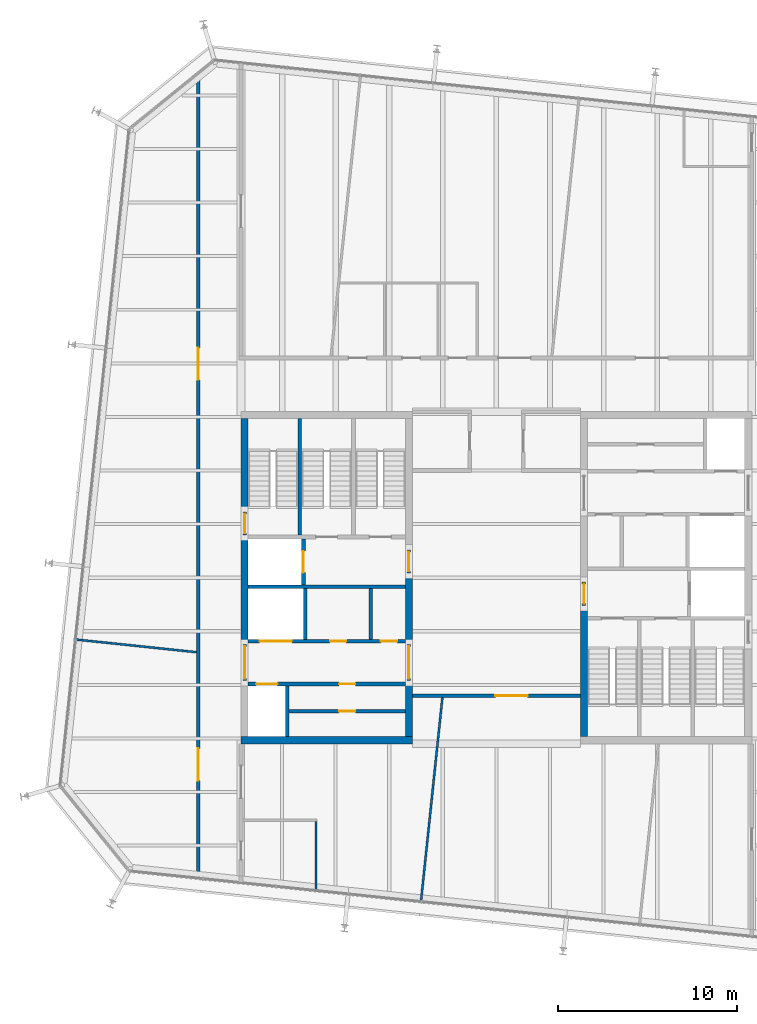
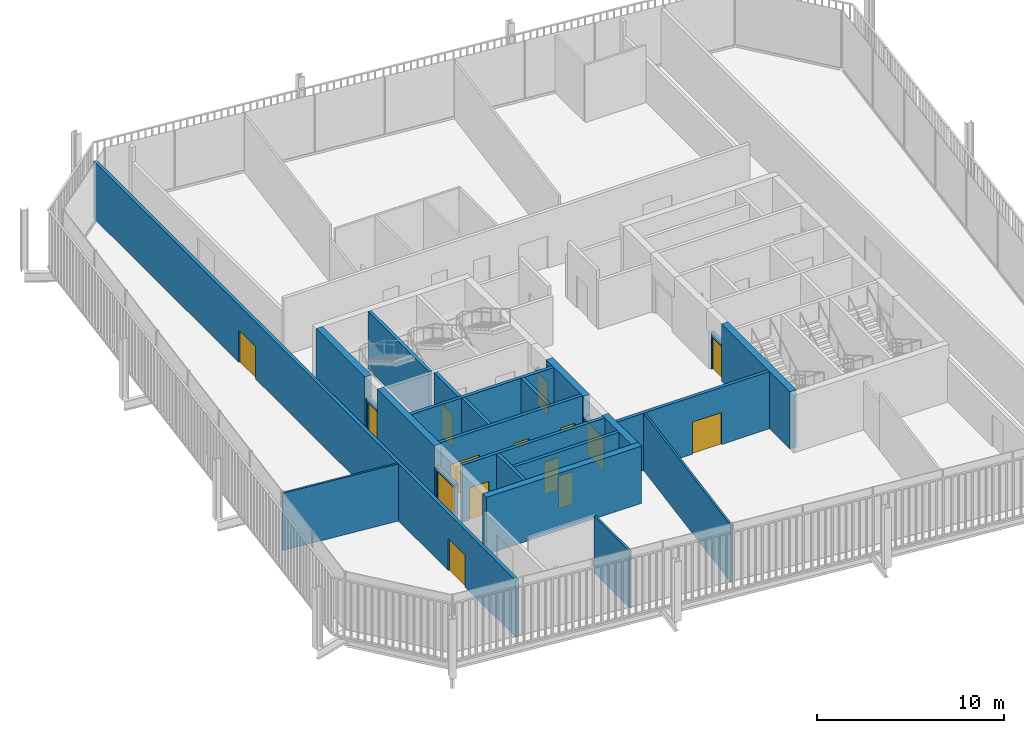
# One storey, part 16 of 20: 25 walls, 15 doors, 15 openings.
"""IFC4 building model written with IfcOpenShell, lengths in metres."""

from ifc_helpers import new_model, si_unit, direction, frame, frame_2d, origin, place, context, subcontext, project, spatial, rectangle, extrude, material, layer, layer_set, type_object, element, fill, save


model = new_model("IFC4")

# Units and contexts
model_context = context("Model", 3, precision=1e-05, world=origin(), true_north=direction((0.0, 1.0)))
body_context = subcontext(model_context, "Body", "Model", "MODEL_VIEW")
ifc_project = project(units=[si_unit("LENGTHUNIT", "METRE"), si_unit("AREAUNIT", "SQUARE_METRE"), si_unit("VOLUMEUNIT", "CUBIC_METRE"), si_unit("PLANEANGLEUNIT", "RADIAN"), si_unit("MASSUNIT", "GRAM", prefix="KILO")], contexts=[model_context])

# Site, building, storey
site_placement = place(None, origin())
site = spatial("IfcSite", under=ifc_project, at=site_placement, CompositionType="ELEMENT")
building_placement = place(site_placement, origin())
building = spatial("IfcBuilding", under=site, at=building_placement, Name="Millrace Tower", CompositionType="ELEMENT")
storey_placement = place(building_placement, frame((0.0, 0.0, 303.300048828125)))
storey = spatial("IfcBuildingStorey", under=building, at=storey_placement, Name="L70", CompositionType="ELEMENT", Elevation=303.300048828125)

# Walls
ifc_material_1 = material(Name="Concrete C60", Category="concrete")
ifc_layer_1 = layer(ifc_material_1, 0.39990234375)
ifc_layer_set_1 = layer_set([ifc_layer_1], Name="Concrete C60")
wall_type_1 = type_object("IfcWallType", Name="Core wall 400 Concrete C60", PredefinedType="SHEAR", material=ifc_layer_set_1)
wall_1_placement = place(storey_placement, frame((-14.300048828125, -9.10009765625, 0.0), z_axis=(0.0, 0.0, 1.0), x_axis=(1.0, 0.0, 0.0)))
element("IfcWall", 1, at=wall_1_placement, inside=storey, type_object=wall_type_1, Name="Core wall W L70", PredefinedType="SHEAR", context=body_context, shape_type="SweptSolid", body=[
    extrude(rectangle(XDim=9.60009765625, YDim=0.39990234375, at=frame_2d((4.800048828125, 0.0))), origin(), (0.0, 0.0, 1.0), 3.739990234375),
])
wall_2_placement = place(storey_placement, frame((-14.10009765625, -3.75, 0.0), z_axis=(0.0, 0.0, 1.0), x_axis=(0.0, 1.0, 0.0)))
element("IfcWall", 2, at=wall_2_placement, inside=storey, type_object=wall_type_1, Name="Core wall W L70", PredefinedType="SHEAR", context=body_context, shape_type="SweptSolid", body=[
    extrude(rectangle(XDim=6.1298828125, YDim=0.39990234375, at=frame_2d((3.06494140625, 0.0))), origin(), (0.0, 0.0, 1.0), 3.739990234375),
])
wall_3_placement = place(storey_placement, frame((-14.10009765625, 3.679931640625, 0.0), z_axis=(0.0, 0.0, 1.0), x_axis=(0.0, 1.0, 0.0)))
element("IfcWall", 3, at=wall_3_placement, inside=storey, type_object=wall_type_1, Name="Core wall W L70", PredefinedType="SHEAR", context=body_context, shape_type="SweptSolid", body=[
    extrude(rectangle(XDim=5.219970703125, YDim=0.39990234375, at=frame_2d((2.60986328125, 0.0))), origin(), (0.0, 0.0, 1.0), 3.739990234375),
])
wall_4_placement = place(storey_placement, frame((-4.89990234375, -8.89990234375, 0.0), z_axis=(0.0, 0.0, 1.0), x_axis=(0.0, 1.0, 0.0)))
element("IfcWall", 4, at=wall_4_placement, inside=storey, type_object=wall_type_1, Name="Core wall W L70", PredefinedType="SHEAR", context=body_context, shape_type="SweptSolid", body=[
    extrude(rectangle(XDim=3.14990234375, YDim=0.39990234375, at=frame_2d((1.574951171875, 0.0))), origin(), (0.0, 0.0, 1.0), 3.739990234375),
])
wall_5_placement = place(storey_placement, frame((-4.89990234375, -3.75, 0.0), z_axis=(0.0, 0.0, 1.0), x_axis=(0.0, 1.0, 0.0)))
element("IfcWall", 5, at=wall_5_placement, inside=storey, type_object=wall_type_1, Name="Core wall W L70", PredefinedType="SHEAR", context=body_context, shape_type="SweptSolid", body=[
    extrude(rectangle(XDim=4.0, YDim=0.39990234375, at=frame_2d((2.0, 0.0))), origin(), (0.0, 0.0, 1.0), 3.739990234375),
])
wall_6_placement = place(storey_placement, frame((4.89990234375, -1.550048828125, 0.0), z_axis=(0.0, 0.0, 1.0), x_axis=(0.0, -1.0, 0.0)))
element("IfcWall", 6, at=wall_6_placement, inside=storey, type_object=wall_type_1, Name="Core wall E L70", PredefinedType="SHEAR", context=body_context, shape_type="SweptSolid", body=[
    extrude(rectangle(XDim=7.349853515625, YDim=0.39990234375, at=frame_2d((3.6748046875, 0.0))), origin(), (0.0, 0.0, 1.0), 3.739990234375),
])

# Wall, opening, door
ifc_material_2 = material(Name="Masonry partition, fire-rated", Category="masonry")
ifc_layer_2 = layer(ifc_material_2, 0.199951171875)
ifc_layer_set_2 = layer_set([ifc_layer_2], Name="Masonry partition, fire-rated")
wall_type_2 = type_object("IfcWallType", Name="Corridor wall 200", PredefinedType="PARTITIONING", material=ifc_layer_set_2)
wall_7_placement = place(storey_placement, frame((-4.699951171875, -6.60009765625, 0.0), z_axis=(0.0, 0.0, 1.0), x_axis=(1.0, 0.0, 0.0)))
wall_7 = element("IfcWall", 7, at=wall_7_placement, inside=storey, type_object=wall_type_2, Name="Corridor wall L70", PredefinedType="PARTITIONING", context=body_context, shape_type="SweptSolid", body=[
    extrude(rectangle(XDim=9.39990234375, YDim=0.199951171875, at=frame_2d((4.699951171875, 0.0))), origin(), (0.0, 0.0, 1.0), 3.739990234375),
])
opening_1_placement = place(wall_7_placement, frame((4.64404296875, 0.0, 0.0)))
opening_1 = element("IfcOpeningElement", 8, at=opening_1_placement, cuts=wall_7, Name="Opening 70-P012", PredefinedType="OPENING", context=body_context, shape_type="SweptSolid", body=[
    extrude(rectangle(XDim=1.800048828125, YDim=2.10009765625, at=frame_2d((0.89990234375, 1.050048828125))), frame((0.0, 0.10986328125, 0.0), z_axis=(0.0, -1.0, 0.0), x_axis=(1.0, 0.0, 0.0)), (0.0, 0.0, 1.0), 0.219970703125),
])
ifc_material_3 = material(Name="Steel door set, fire-rated", Category="steel")
door_type_1 = type_object("IfcDoorType", Name="Corridor door 1800 x 2100", OperationType="DOUBLE_DOOR_SINGLE_SWING", PredefinedType="DOOR", material=ifc_material_3)
door_1_placement = place(opening_1_placement, frame((1.800048828125, 0.0, 0.0), z_axis=(0.0, 0.0, 1.0), x_axis=(-1.0, 0.0, 0.0)))
door_1 = element("IfcDoor", 9, at=door_1_placement, inside=storey, type_object=door_type_1, Name="Door 70-P012", OperationType="DOUBLE_DOOR_SINGLE_SWING", OverallHeight=2.10009765625, OverallWidth=1.800048828125, PredefinedType="DOOR", context=body_context, shape_type="SweptSolid", body=[
    extrude(rectangle(XDim=1.800048828125, YDim=2.10009765625, at=frame_2d((0.89990234375, 1.050048828125))), frame((0.0, 0.02490234375, 0.0), z_axis=(0.0, -1.0, 0.0), x_axis=(1.0, 0.0, 0.0)), (0.0, 0.0, 1.0), 0.050048828125),
])
fill(opening_1, door_1)

# Wall, openings, doors
wall_8_placement = place(storey_placement, frame((-16.699951171875, -16.779296875, 0.0), z_axis=(0.0, 0.0, 1.0), x_axis=(0.0, 1.0, 0.0)))
wall_8 = element("IfcWall", 10, at=wall_8_placement, inside=storey, type_object=wall_type_2, Name="Corridor wall L70", PredefinedType="PARTITIONING", context=body_context, shape_type="SweptSolid", body=[
    extrude(rectangle(XDim=45.16943359375, YDim=0.199951171875, at=frame_2d((22.584716796875, 0.0))), origin(), (0.0, 0.0, 1.0), 3.739990234375),
])
opening_2_placement = place(wall_8_placement, frame((5.4248046875, 0.0, 0.0)))
opening_2 = element("IfcOpeningElement", 11, at=opening_2_placement, cuts=wall_8, Name="Opening 70-P003", PredefinedType="OPENING", context=body_context, shape_type="SweptSolid", body=[
    extrude(rectangle(XDim=1.800048828125, YDim=2.10009765625, at=frame_2d((0.89990234375, 1.050048828125))), frame((0.0, 0.10986328125, 0.0), z_axis=(0.0, -1.0, 0.0), x_axis=(1.0, 0.0, 0.0)), (0.0, 0.0, 1.0), 0.219970703125),
])
opening_3_placement = place(wall_8_placement, frame((27.852294921875, 0.0, 0.0)))
opening_3 = element("IfcOpeningElement", 12, at=opening_3_placement, cuts=wall_8, Name="Opening 70-P004", PredefinedType="OPENING", context=body_context, shape_type="SweptSolid", body=[
    extrude(rectangle(XDim=1.800048828125, YDim=2.10009765625, at=frame_2d((0.89990234375, 1.050048828125))), frame((0.0, 0.10986328125, 0.0), z_axis=(0.0, -1.0, 0.0), x_axis=(1.0, 0.0, 0.0)), (0.0, 0.0, 1.0), 0.219970703125),
])
door_2_placement = place(opening_2_placement, origin())
door_2 = element("IfcDoor", 13, at=door_2_placement, inside=storey, type_object=door_type_1, Name="Door 70-P003", OperationType="DOUBLE_DOOR_SINGLE_SWING", OverallHeight=2.10009765625, OverallWidth=1.800048828125, PredefinedType="DOOR", context=body_context, shape_type="SweptSolid", body=[
    extrude(rectangle(XDim=1.800048828125, YDim=2.10009765625, at=frame_2d((0.89990234375, 1.050048828125))), frame((0.0, 0.02490234375, 0.0), z_axis=(0.0, -1.0, 0.0), x_axis=(1.0, 0.0, 0.0)), (0.0, 0.0, 1.0), 0.050048828125),
])
fill(opening_2, door_2)
door_3_placement = place(opening_3_placement, frame((1.800048828125, 0.0, 0.0), z_axis=(0.0, 0.0, 1.0), x_axis=(-1.0, 0.0, 0.0)))
door_3 = element("IfcDoor", 14, at=door_3_placement, inside=storey, type_object=door_type_1, Name="Door 70-P004", OperationType="DOUBLE_DOOR_SINGLE_SWING", OverallHeight=2.10009765625, OverallWidth=1.800048828125, PredefinedType="DOOR", context=body_context, shape_type="SweptSolid", body=[
    extrude(rectangle(XDim=1.800048828125, YDim=2.10009765625, at=frame_2d((0.89990234375, 1.050048828125))), frame((0.0, 0.02490234375, 0.0), z_axis=(0.0, -1.0, 0.0), x_axis=(1.0, 0.0, 0.0)), (0.0, 0.0, 1.0), 0.050048828125),
])
fill(opening_3, door_3)

ifc_material_4 = material(Name="Masonry partition, fire-rated", Category="masonry")
ifc_layer_3 = layer(ifc_material_4, 0.199951171875)
ifc_layer_set_3 = layer_set([ifc_layer_3], Name="Masonry partition, fire-rated")
wall_type_3 = type_object("IfcWallType", Name="Lift shaft wall 200", PredefinedType="PARTITIONING", material=ifc_layer_set_3)
wall_9_placement = place(storey_placement, frame((-13.89990234375, -5.949951171875, 0.0), z_axis=(0.0, 0.0, 1.0), x_axis=(1.0, 0.0, 0.0)))
wall_9 = element("IfcWall", 15, at=wall_9_placement, inside=storey, type_object=wall_type_3, Name="Lift shaft wall W L70", PredefinedType="PARTITIONING", context=body_context, shape_type="SweptSolid", body=[
    extrude(rectangle(XDim=8.7998046875, YDim=0.199951171875, at=frame_2d((4.39990234375, 0.0))), origin(), (0.0, 0.0, 1.0), 3.739990234375),
])
opening_4_placement = place(wall_9_placement, frame((0.449951171875, 0.0, 0.0)))
opening_4 = element("IfcOpeningElement", 16, at=opening_4_placement, cuts=wall_9, Name="Opening 70-LD01", PredefinedType="OPENING", context=body_context, shape_type="SweptSolid", body=[
    extrude(rectangle(XDim=1.199951171875, YDim=2.10009765625, at=frame_2d((0.60009765625, 1.050048828125))), frame((0.0, 0.10986328125, 0.0), z_axis=(0.0, -1.0, 0.0), x_axis=(1.0, 0.0, 0.0)), (0.0, 0.0, 1.0), 0.219970703125),
])
opening_5_placement = place(wall_9_placement, frame((5.10009765625, 0.0, 0.0)))
opening_5 = element("IfcOpeningElement", 17, at=opening_5_placement, cuts=wall_9, Name="Opening 70-C005", PredefinedType="OPENING", context=body_context, shape_type="SweptSolid", body=[
    extrude(rectangle(XDim=0.89990234375, YDim=2.10009765625, at=frame_2d((0.449951171875, 1.050048828125))), frame((0.0, 0.10986328125, 0.0), z_axis=(0.0, -1.0, 0.0), x_axis=(1.0, 0.0, 0.0)), (0.0, 0.0, 1.0), 0.219970703125),
])
ifc_material_5 = material(Name="Stainless steel, fire-rated", Category="steel")
door_type_2 = type_object("IfcDoorType", Name="Lift landing door 1200 x 2100", OperationType="DOUBLE_DOOR_SLIDING", PredefinedType="DOOR", material=ifc_material_5)
door_4_placement = place(opening_4_placement, origin())
door_4 = element("IfcDoor", 18, at=door_4_placement, inside=storey, type_object=door_type_2, Name="Lift landing door LF1 L70", OperationType="DOUBLE_DOOR_SLIDING", OverallHeight=2.10009765625, OverallWidth=1.199951171875, PredefinedType="DOOR", context=body_context, shape_type="SweptSolid", body=[
    extrude(rectangle(XDim=1.199951171875, YDim=2.10009765625, at=frame_2d((0.60009765625, 1.050048828125))), frame((0.0, 0.02490234375, 0.0), z_axis=(0.0, -1.0, 0.0), x_axis=(1.0, 0.0, 0.0)), (0.0, 0.0, 1.0), 0.050048828125),
])
fill(opening_4, door_4)
ifc_material_6 = material(Name="Steel door, fire-rated", Category="steel")
door_type_3 = type_object("IfcDoorType", Name="Service room door 900 x 2100", OperationType="SINGLE_SWING_LEFT", PredefinedType="DOOR", material=ifc_material_6)
door_5_placement = place(opening_5_placement, origin())
door_5 = element("IfcDoor", 19, at=door_5_placement, inside=storey, type_object=door_type_3, Name="Service room door 70-C005", OperationType="SINGLE_SWING_RIGHT", OverallHeight=2.10009765625, OverallWidth=0.89990234375, PredefinedType="DOOR", context=body_context, shape_type="SweptSolid", body=[
    extrude(rectangle(XDim=0.89990234375, YDim=2.10009765625, at=frame_2d((0.449951171875, 1.050048828125))), frame((0.0, 0.02490234375, 0.0), z_axis=(0.0, -1.0, 0.0), x_axis=(1.0, 0.0, 0.0)), (0.0, 0.0, 1.0), 0.050048828125),
])
fill(opening_5, door_5)

wall_10_placement = place(storey_placement, frame((-13.89990234375, -3.550048828125, 0.0), z_axis=(0.0, 0.0, 1.0), x_axis=(1.0, 0.0, 0.0)))
wall_10 = element("IfcWall", 20, at=wall_10_placement, inside=storey, type_object=wall_type_3, Name="Lift shaft wall W L70", PredefinedType="PARTITIONING", context=body_context, shape_type="SweptSolid", body=[
    extrude(rectangle(XDim=8.7998046875, YDim=0.199951171875, at=frame_2d((4.39990234375, 0.0))), origin(), (0.0, 0.0, 1.0), 3.739990234375),
])
opening_6_placement = place(wall_10_placement, frame((0.64990234375, 0.0, 0.0)))
opening_6 = element("IfcOpeningElement", 21, at=opening_6_placement, cuts=wall_10, Name="Opening 70-LD05", PredefinedType="OPENING", context=body_context, shape_type="SweptSolid", body=[
    extrude(rectangle(XDim=1.800048828125, YDim=2.10009765625, at=frame_2d((0.89990234375, 1.050048828125))), frame((0.0, 0.10986328125, 0.0), z_axis=(0.0, -1.0, 0.0), x_axis=(1.0, 0.0, 0.0)), (0.0, 0.0, 1.0), 0.219970703125),
])
opening_7_placement = place(wall_10_placement, frame((4.58740234375, 0.0, 0.0)))
opening_7 = element("IfcOpeningElement", 22, at=opening_7_placement, cuts=wall_10, Name="Opening 70-C007", PredefinedType="OPENING", context=body_context, shape_type="SweptSolid", body=[
    extrude(rectangle(XDim=0.89990234375, YDim=2.10009765625, at=frame_2d((0.449951171875, 1.050048828125))), frame((0.0, 0.10986328125, 0.0), z_axis=(0.0, -1.0, 0.0), x_axis=(1.0, 0.0, 0.0)), (0.0, 0.0, 1.0), 0.219970703125),
])
opening_8_placement = place(wall_10_placement, frame((7.4375, 0.0, 0.0)))
opening_8 = element("IfcOpeningElement", 23, at=opening_8_placement, cuts=wall_10, Name="Opening 70-C008", PredefinedType="OPENING", context=body_context, shape_type="SweptSolid", body=[
    extrude(rectangle(XDim=0.89990234375, YDim=2.10009765625, at=frame_2d((0.449951171875, 1.050048828125))), frame((0.0, 0.10986328125, 0.0), z_axis=(0.0, -1.0, 0.0), x_axis=(1.0, 0.0, 0.0)), (0.0, 0.0, 1.0), 0.219970703125),
])
ifc_material_7 = material(Name="Stainless steel, fire-rated", Category="steel")
door_type_4 = type_object("IfcDoorType", Name="Lift landing door 1800 x 2100", OperationType="DOUBLE_DOOR_SLIDING", PredefinedType="DOOR", material=ifc_material_7)
door_6_placement = place(opening_6_placement, origin())
door_6 = element("IfcDoor", 24, at=door_6_placement, inside=storey, type_object=door_type_4, Name="Lift landing door LF5 L70", OperationType="DOUBLE_DOOR_SLIDING", OverallHeight=2.10009765625, OverallWidth=1.800048828125, PredefinedType="DOOR", context=body_context, shape_type="SweptSolid", body=[
    extrude(rectangle(XDim=1.800048828125, YDim=2.10009765625, at=frame_2d((0.89990234375, 1.050048828125))), frame((0.0, 0.02490234375, 0.0), z_axis=(0.0, -1.0, 0.0), x_axis=(1.0, 0.0, 0.0)), (0.0, 0.0, 1.0), 0.050048828125),
])
fill(opening_6, door_6)
door_7_placement = place(opening_7_placement, origin())
door_7 = element("IfcDoor", 25, at=door_7_placement, inside=storey, type_object=door_type_3, Name="Service room door 70-C007", OperationType="SINGLE_SWING_RIGHT", OverallHeight=2.10009765625, OverallWidth=0.89990234375, PredefinedType="DOOR", context=body_context, shape_type="SweptSolid", body=[
    extrude(rectangle(XDim=0.89990234375, YDim=2.10009765625, at=frame_2d((0.449951171875, 1.050048828125))), frame((0.0, 0.02490234375, 0.0), z_axis=(0.0, -1.0, 0.0), x_axis=(1.0, 0.0, 0.0)), (0.0, 0.0, 1.0), 0.050048828125),
])
fill(opening_7, door_7)
door_8_placement = place(opening_8_placement, origin())
door_8 = element("IfcDoor", 26, at=door_8_placement, inside=storey, type_object=door_type_3, Name="Service room door 70-C008", OperationType="SINGLE_SWING_RIGHT", OverallHeight=2.10009765625, OverallWidth=0.89990234375, PredefinedType="DOOR", context=body_context, shape_type="SweptSolid", body=[
    extrude(rectangle(XDim=0.89990234375, YDim=2.10009765625, at=frame_2d((0.449951171875, 1.050048828125))), frame((0.0, 0.02490234375, 0.0), z_axis=(0.0, -1.0, 0.0), x_axis=(1.0, 0.0, 0.0)), (0.0, 0.0, 1.0), 0.050048828125),
])
fill(opening_8, door_8)

# Wall
wall_11_placement = place(storey_placement, frame((-13.89990234375, -0.5, 0.0), z_axis=(0.0, 0.0, 1.0), x_axis=(1.0, 0.0, 0.0)))
element("IfcWall", 27, at=wall_11_placement, inside=storey, type_object=wall_type_3, Name="Lift shaft wall W L70", PredefinedType="PARTITIONING", context=body_context, shape_type="SweptSolid", body=[
    extrude(rectangle(XDim=8.7998046875, YDim=0.199951171875, at=frame_2d((4.39990234375, 0.0))), origin(), (0.0, 0.0, 1.0), 3.739990234375),
])

# Wall, opening, door
wall_12_placement = place(storey_placement, frame((-10.800048828125, -0.39990234375, 0.0), z_axis=(0.0, 0.0, 1.0), x_axis=(0.0, 1.0, 0.0)))
wall_12 = element("IfcWall", 28, at=wall_12_placement, inside=storey, type_object=wall_type_3, Name="Lift shaft wall W L70", PredefinedType="PARTITIONING", context=body_context, shape_type="SweptSolid", body=[
    extrude(rectangle(XDim=2.579833984375, YDim=0.199951171875, at=frame_2d((1.2900390625, 0.0))), origin(), (0.0, 0.0, 1.0), 3.739990234375),
])
opening_9_placement = place(wall_12_placement, frame((0.68994140625, 0.0, 0.0)))
opening_9 = element("IfcOpeningElement", 29, at=opening_9_placement, cuts=wall_12, Name="Opening 70-LD08", PredefinedType="OPENING", context=body_context, shape_type="SweptSolid", body=[
    extrude(rectangle(XDim=1.199951171875, YDim=2.10009765625, at=frame_2d((0.60009765625, 1.050048828125))), frame((0.0, 0.10986328125, 0.0), z_axis=(0.0, -1.0, 0.0), x_axis=(1.0, 0.0, 0.0)), (0.0, 0.0, 1.0), 0.219970703125),
])
door_9_placement = place(opening_9_placement, origin())
door_9 = element("IfcDoor", 30, at=door_9_placement, inside=storey, type_object=door_type_2, Name="Lift landing door LF8 L70", OperationType="DOUBLE_DOOR_SLIDING", OverallHeight=2.10009765625, OverallWidth=1.199951171875, PredefinedType="DOOR", context=body_context, shape_type="SweptSolid", body=[
    extrude(rectangle(XDim=1.199951171875, YDim=2.10009765625, at=frame_2d((0.60009765625, 1.050048828125))), frame((0.0, 0.02490234375, 0.0), z_axis=(0.0, -1.0, 0.0), x_axis=(1.0, 0.0, 0.0)), (0.0, 0.0, 1.0), 0.050048828125),
])
fill(opening_9, door_9)

# Walls
for number, where, z_axis, x_axis, name in (
    (31, (-11.699951171875, -8.89990234375, 0.0), (0.0, 0.0, 1.0), (0.0, 1.0, 0.0), "Lift shaft wall W L70"),
    (32, (-10.699951171875, -3.449951171875, 0.0), (0.0, 0.0, 1.0), (0.0, 1.0, 0.0), "Lift shaft wall W L70"),
):
    element("IfcWall", number, at=place(storey_placement, frame(where, z_axis=z_axis, x_axis=x_axis)), inside=storey, type_object=wall_type_3, Name=name, PredefinedType="PARTITIONING", context=body_context, shape_type="SweptSolid", body=[
        extrude(rectangle(XDim=2.849853515625, YDim=0.199951171875, at=frame_2d((1.4248046875, 0.0))), origin(), (0.0, 0.0, 1.0), 3.739990234375),
    ])

# Wall, opening, door
ifc_material_8 = material(Name="Masonry partition, fire-rated", Category="masonry")
ifc_layer_4 = layer(ifc_material_8, 0.199951171875)
ifc_layer_set_4 = layer_set([ifc_layer_4], Name="Masonry partition, fire-rated")
wall_type_4 = type_object("IfcWallType", Name="Lobby wall 200", PredefinedType="PARTITIONING", material=ifc_layer_set_4)
wall_13_placement = place(storey_placement, frame((-14.10009765625, -5.75, 0.0), z_axis=(0.0, 0.0, 1.0), x_axis=(0.0, 1.0, 0.0)))
wall_13 = element("IfcWall", 33, at=wall_13_placement, inside=storey, type_object=wall_type_4, Name="Lobby wall W L70", PredefinedType="PARTITIONING", context=body_context, shape_type="SweptSolid", body=[
    extrude(rectangle(XDim=2.0, YDim=0.199951171875, at=frame_2d((1.0, 0.0))), origin(), (0.0, 0.0, 1.0), 2.39990234375),
])
opening_10_placement = place(wall_13_placement, frame((0.10009765625, 0.0, 0.0)))
opening_10 = element("IfcOpeningElement", 34, at=opening_10_placement, cuts=wall_13, Name="Opening 70-C001", PredefinedType="OPENING", context=body_context, shape_type="SweptSolid", body=[
    extrude(rectangle(XDim=1.800048828125, YDim=2.10009765625, at=frame_2d((0.89990234375, 1.050048828125))), frame((0.0, 0.10986328125, 0.0), z_axis=(0.0, -1.0, 0.0), x_axis=(1.0, 0.0, 0.0)), (0.0, 0.0, 1.0), 0.219970703125),
])
ifc_material_9 = material(Name="Steel door, fire-rated", Category="steel")
door_type_5 = type_object("IfcDoorType", Name="Lobby door 1800 x 2100", OperationType="DOUBLE_DOOR_SINGLE_SWING", PredefinedType="DOOR", material=ifc_material_9)
door_10_placement = place(opening_10_placement, origin())
door_10 = element("IfcDoor", 35, at=door_10_placement, inside=storey, type_object=door_type_5, Name="Lobby door 70-C001", OperationType="DOUBLE_DOOR_SINGLE_SWING", OverallHeight=2.10009765625, OverallWidth=1.800048828125, PredefinedType="DOOR", context=body_context, shape_type="SweptSolid", body=[
    extrude(rectangle(XDim=1.800048828125, YDim=2.10009765625, at=frame_2d((0.89990234375, 1.050048828125))), frame((0.0, 0.02490234375, 0.0), z_axis=(0.0, -1.0, 0.0), x_axis=(1.0, 0.0, 0.0)), (0.0, 0.0, 1.0), 0.050048828125),
])
fill(opening_10, door_10)

wall_14_placement = place(storey_placement, frame((-4.89990234375, -5.75, 0.0), z_axis=(0.0, 0.0, 1.0), x_axis=(0.0, 1.0, 0.0)))
wall_14 = element("IfcWall", 36, at=wall_14_placement, inside=storey, type_object=wall_type_4, Name="Lobby wall W L70", PredefinedType="PARTITIONING", context=body_context, shape_type="SweptSolid", body=[
    extrude(rectangle(XDim=2.0, YDim=0.199951171875, at=frame_2d((1.0, 0.0))), origin(), (0.0, 0.0, 1.0), 2.39990234375),
])
opening_11_placement = place(wall_14_placement, frame((0.10009765625, 0.0, 0.0)))
opening_11 = element("IfcOpeningElement", 37, at=opening_11_placement, cuts=wall_14, Name="Opening 70-C003", PredefinedType="OPENING", context=body_context, shape_type="SweptSolid", body=[
    extrude(rectangle(XDim=1.800048828125, YDim=2.10009765625, at=frame_2d((0.89990234375, 1.050048828125))), frame((0.0, 0.10986328125, 0.0), z_axis=(0.0, -1.0, 0.0), x_axis=(1.0, 0.0, 0.0)), (0.0, 0.0, 1.0), 0.219970703125),
])
door_11_placement = place(opening_11_placement, frame((1.800048828125, 0.0, 0.0), z_axis=(0.0, 0.0, 1.0), x_axis=(-1.0, 0.0, 0.0)))
door_11 = element("IfcDoor", 38, at=door_11_placement, inside=storey, type_object=door_type_5, Name="Lobby door 70-C003", OperationType="DOUBLE_DOOR_SINGLE_SWING", OverallHeight=2.10009765625, OverallWidth=1.800048828125, PredefinedType="DOOR", context=body_context, shape_type="SweptSolid", body=[
    extrude(rectangle(XDim=1.800048828125, YDim=2.10009765625, at=frame_2d((0.89990234375, 1.050048828125))), frame((0.0, 0.02490234375, 0.0), z_axis=(0.0, -1.0, 0.0), x_axis=(1.0, 0.0, 0.0)), (0.0, 0.0, 1.0), 0.050048828125),
])
fill(opening_11, door_11)

wall_15_placement = place(storey_placement, frame((-4.89990234375, 0.25, 0.0), z_axis=(0.0, 0.0, 1.0), x_axis=(0.0, 1.0, 0.0)))
wall_15 = element("IfcWall", 39, at=wall_15_placement, inside=storey, type_object=wall_type_4, Name="Lobby wall W L70", PredefinedType="PARTITIONING", context=body_context, shape_type="SweptSolid", body=[
    extrude(rectangle(XDim=1.300048828125, YDim=0.199951171875, at=frame_2d((0.64990234375, 0.0))), origin(), (0.0, 0.0, 1.0), 2.39990234375),
])
opening_12_placement = place(wall_15_placement, frame((0.10009765625, 0.0, 0.0)))
opening_12 = element("IfcOpeningElement", 40, at=opening_12_placement, cuts=wall_15, Name="Opening 70-C004", PredefinedType="OPENING", context=body_context, shape_type="SweptSolid", body=[
    extrude(rectangle(XDim=1.10009765625, YDim=2.10009765625, at=frame_2d((0.550048828125, 1.050048828125))), frame((0.0, 0.10986328125, 0.0), z_axis=(0.0, -1.0, 0.0), x_axis=(1.0, 0.0, 0.0)), (0.0, 0.0, 1.0), 0.219970703125),
])
ifc_material_10 = material(Name="Steel door, fire-rated", Category="steel")
door_type_6 = type_object("IfcDoorType", Name="Lobby door 1100 x 2100", OperationType="SINGLE_SWING_LEFT", PredefinedType="DOOR", material=ifc_material_10)
door_12_placement = place(opening_12_placement, frame((1.10009765625, 0.0, 0.0), z_axis=(0.0, 0.0, 1.0), x_axis=(-1.0, 0.0, 0.0)))
door_12 = element("IfcDoor", 41, at=door_12_placement, inside=storey, type_object=door_type_6, Name="Lobby door 70-C004", OperationType="SINGLE_SWING_RIGHT", OverallHeight=2.10009765625, OverallWidth=1.10009765625, PredefinedType="DOOR", context=body_context, shape_type="SweptSolid", body=[
    extrude(rectangle(XDim=1.10009765625, YDim=2.10009765625, at=frame_2d((0.550048828125, 1.050048828125))), frame((0.0, 0.02490234375, 0.0), z_axis=(0.0, -1.0, 0.0), x_axis=(1.0, 0.0, 0.0)), (0.0, 0.0, 1.0), 0.050048828125),
])
fill(opening_12, door_12)

wall_16_placement = place(storey_placement, frame((4.89990234375, -0.25, 0.0), z_axis=(0.0, 0.0, 1.0), x_axis=(0.0, -1.0, 0.0)))
wall_16 = element("IfcWall", 42, at=wall_16_placement, inside=storey, type_object=wall_type_4, Name="Lobby wall E L70", PredefinedType="PARTITIONING", context=body_context, shape_type="SweptSolid", body=[
    extrude(rectangle(XDim=1.300048828125, YDim=0.199951171875, at=frame_2d((0.64990234375, 0.0))), origin(), (0.0, 0.0, 1.0), 2.39990234375),
])
opening_13_placement = place(wall_16_placement, frame((0.10009765625, 0.0, 0.0)))
opening_13 = element("IfcOpeningElement", 43, at=opening_13_placement, cuts=wall_16, Name="Opening 70-C014", PredefinedType="OPENING", context=body_context, shape_type="SweptSolid", body=[
    extrude(rectangle(XDim=1.10009765625, YDim=2.10009765625, at=frame_2d((0.550048828125, 1.050048828125))), frame((0.0, 0.10986328125, 0.0), z_axis=(0.0, -1.0, 0.0), x_axis=(1.0, 0.0, 0.0)), (0.0, 0.0, 1.0), 0.219970703125),
])
door_13_placement = place(opening_13_placement, frame((1.10009765625, 0.0, 0.0), z_axis=(0.0, 0.0, 1.0), x_axis=(-1.0, 0.0, 0.0)))
door_13 = element("IfcDoor", 44, at=door_13_placement, inside=storey, type_object=door_type_6, Name="Lobby door 70-C014", OperationType="SINGLE_SWING_LEFT", OverallHeight=2.10009765625, OverallWidth=1.10009765625, PredefinedType="DOOR", context=body_context, shape_type="SweptSolid", body=[
    extrude(rectangle(XDim=1.10009765625, YDim=2.10009765625, at=frame_2d((0.550048828125, 1.050048828125))), frame((0.0, 0.02490234375, 0.0), z_axis=(0.0, -1.0, 0.0), x_axis=(1.0, 0.0, 0.0)), (0.0, 0.0, 1.0), 0.050048828125),
])
fill(opening_13, door_13)

# Walls
ifc_material_11 = material(Name="Gypsum board partition")
ifc_layer_5 = layer(ifc_material_11, 0.1201171875)
ifc_layer_set_5 = layer_set([ifc_layer_5], Name="Gypsum board partition")
wall_type_5 = type_object("IfcWallType", Name="Partition wall 120", PredefinedType="PARTITIONING", material=ifc_layer_set_5)
wall_17_placement = place(storey_placement, frame((-23.526611328125, -3.462890625, 0.0), z_axis=(0.0, 0.0, 1.0), x_axis=(0.994529554987, -0.104455561157, 0.0)))
element("IfcWall", 45, at=wall_17_placement, inside=storey, type_object=wall_type_5, Name="Partition wall L70", PredefinedType="PARTITIONING", context=body_context, shape_type="SweptSolid", body=[
    extrude(rectangle(XDim=6.76416015625, YDim=0.1201171875, at=frame_2d((3.382080078125, 0.0))), origin(), (0.0, 0.0, 1.0), 3.739990234375),
])
wall_18_placement = place(storey_placement, frame((-4.22021484375, -18.0908203125, 0.0), z_axis=(0.0, 0.0, 1.0), x_axis=(0.104569393031, 0.994517592625, 0.0)))
element("IfcWall", 46, at=wall_18_placement, inside=storey, type_object=wall_type_5, Name="Partition wall L70", PredefinedType="PARTITIONING", context=body_context, shape_type="SweptSolid", body=[
    extrude(rectangle(XDim=11.4541015625, YDim=0.1201171875, at=frame_2d((5.72705078125, 0.0))), origin(), (0.0, 0.0, 1.0), 3.739990234375),
])
wall_19_placement = place(storey_placement, frame((-10.10009765625, -17.472900390625, 0.0), z_axis=(0.0, 0.0, 1.0), x_axis=(0.0, 1.0, 0.0)))
element("IfcWall", 47, at=wall_19_placement, inside=storey, type_object=wall_type_5, Name="Partition wall L70", PredefinedType="PARTITIONING", context=body_context, shape_type="SweptSolid", body=[
    extrude(rectangle(XDim=3.831787109375, YDim=0.1201171875, at=frame_2d((1.916015625, 0.0))), origin(), (0.0, 0.0, 1.0), 3.739990234375),
])

# Wall, opening, door
ifc_material_12 = material(Name="Masonry partition, fire-rated", Category="masonry")
ifc_layer_6 = layer(ifc_material_12, 0.199951171875)
ifc_layer_set_6 = layer_set([ifc_layer_6], Name="Masonry partition, fire-rated")
wall_type_6 = type_object("IfcWallType", Name="Room partition 200", PredefinedType="PARTITIONING", material=ifc_layer_set_6)
wall_20_placement = place(storey_placement, frame((-11.60009765625, -7.47509765625, 0.0), z_axis=(0.0, 0.0, 1.0), x_axis=(1.0, 0.0, 0.0)))
wall_20 = element("IfcWall", 48, at=wall_20_placement, inside=storey, type_object=wall_type_6, Name="Room partition W L70", PredefinedType="PARTITIONING", context=body_context, shape_type="SweptSolid", body=[
    extrude(rectangle(XDim=6.5, YDim=0.199951171875, at=frame_2d((3.25, 0.0))), origin(), (0.0, 0.0, 1.0), 3.739990234375),
])
opening_14_placement = place(wall_20_placement, frame((2.800048828125, 0.0, 0.0)))
opening_14 = element("IfcOpeningElement", 49, at=opening_14_placement, cuts=wall_20, Name="Opening 70-C006", PredefinedType="OPENING", context=body_context, shape_type="SweptSolid", body=[
    extrude(rectangle(XDim=0.89990234375, YDim=2.10009765625, at=frame_2d((0.449951171875, 1.050048828125))), frame((0.0, 0.10986328125, 0.0), z_axis=(0.0, -1.0, 0.0), x_axis=(1.0, 0.0, 0.0)), (0.0, 0.0, 1.0), 0.219970703125),
])
door_14_placement = place(opening_14_placement, frame((0.89990234375, 0.0, 0.0), z_axis=(0.0, 0.0, 1.0), x_axis=(-1.0, 0.0, 0.0)))
door_14 = element("IfcDoor", 50, at=door_14_placement, inside=storey, type_object=door_type_3, Name="Service room door 70-C006", OperationType="SINGLE_SWING_LEFT", OverallHeight=2.10009765625, OverallWidth=0.89990234375, PredefinedType="DOOR", context=body_context, shape_type="SweptSolid", body=[
    extrude(rectangle(XDim=0.89990234375, YDim=2.10009765625, at=frame_2d((0.449951171875, 1.050048828125))), frame((0.0, 0.02490234375, 0.0), z_axis=(0.0, -1.0, 0.0), x_axis=(1.0, 0.0, 0.0)), (0.0, 0.0, 1.0), 0.050048828125),
])
fill(opening_14, door_14)

# Wall
wall_21_placement = place(storey_placement, frame((-7.02490234375, -3.449951171875, 0.0), z_axis=(0.0, 0.0, 1.0), x_axis=(0.0, 1.0, 0.0)))
element("IfcWall", 51, at=wall_21_placement, inside=storey, type_object=wall_type_6, Name="Room partition W L70", PredefinedType="PARTITIONING", context=body_context, shape_type="SweptSolid", body=[
    extrude(rectangle(XDim=2.849853515625, YDim=0.199951171875, at=frame_2d((1.4248046875, 0.0))), origin(), (0.0, 0.0, 1.0), 3.739990234375),
])

# Wall, opening, door
ifc_material_13 = material(Name="Concrete C40", Category="concrete")
ifc_layer_7 = layer(ifc_material_13, 0.199951171875)
ifc_layer_set_7 = layer_set([ifc_layer_7], Name="Concrete C40")
wall_type_7 = type_object("IfcWallType", Name="Stair enclosure wall 200 Concrete C40", PredefinedType="SHEAR", material=ifc_layer_set_7)
wall_22_placement = place(storey_placement, frame((-14.10009765625, 2.3798828125, 0.0), z_axis=(0.0, 0.0, 1.0), x_axis=(0.0, 1.0, 0.0)))
wall_22 = element("IfcWall", 52, at=wall_22_placement, inside=storey, type_object=wall_type_7, Name="Stair enclosure wall W L70", PredefinedType="SHEAR", context=body_context, shape_type="SweptSolid", body=[
    extrude(rectangle(XDim=1.300048828125, YDim=0.199951171875, at=frame_2d((0.64990234375, 0.0))), origin(), (0.0, 0.0, 1.0), 2.39990234375),
])
opening_15_placement = place(wall_22_placement, frame((0.10009765625, 0.0, 0.0)))
opening_15 = element("IfcOpeningElement", 53, at=opening_15_placement, cuts=wall_22, Name="Opening 70-C002", PredefinedType="OPENING", context=body_context, shape_type="SweptSolid", body=[
    extrude(rectangle(XDim=1.10009765625, YDim=2.10009765625, at=frame_2d((0.550048828125, 1.050048828125))), frame((0.0, 0.10986328125, 0.0), z_axis=(0.0, -1.0, 0.0), x_axis=(1.0, 0.0, 0.0)), (0.0, 0.0, 1.0), 0.219970703125),
])
ifc_material_14 = material(Name="Steel door, fire-rated", Category="steel")
door_type_7 = type_object("IfcDoorType", Name="Stair door 1100 x 2100", OperationType="SINGLE_SWING_LEFT", PredefinedType="DOOR", material=ifc_material_14)
door_15_placement = place(opening_15_placement, origin())
door_15 = element("IfcDoor", 54, at=door_15_placement, inside=storey, type_object=door_type_7, Name="Stair door 70-C002", OperationType="SINGLE_SWING_RIGHT", OverallHeight=2.10009765625, OverallWidth=1.10009765625, PredefinedType="DOOR", context=body_context, shape_type="SweptSolid", body=[
    extrude(rectangle(XDim=1.10009765625, YDim=2.10009765625, at=frame_2d((0.550048828125, 1.050048828125))), frame((0.0, 0.02490234375, 0.0), z_axis=(0.0, -1.0, 0.0), x_axis=(1.0, 0.0, 0.0)), (0.0, 0.0, 1.0), 0.050048828125),
])
fill(opening_15, door_15)

# Wall
wall_23_placement = place(storey_placement, frame((-11.0, 2.3798828125, 0.0), z_axis=(0.0, 0.0, 1.0), x_axis=(0.0, 1.0, 0.0)))
element("IfcWall", 55, at=wall_23_placement, inside=storey, type_object=wall_type_7, Name="Stair enclosure wall W L70", PredefinedType="SHEAR", context=body_context, shape_type="SweptSolid", body=[
    extrude(rectangle(XDim=6.52001953125, YDim=0.199951171875, at=frame_2d((3.260009765625, 0.0))), origin(), (0.0, 0.0, 1.0), 3.739990234375),
])

save(model, "model.ifc")
